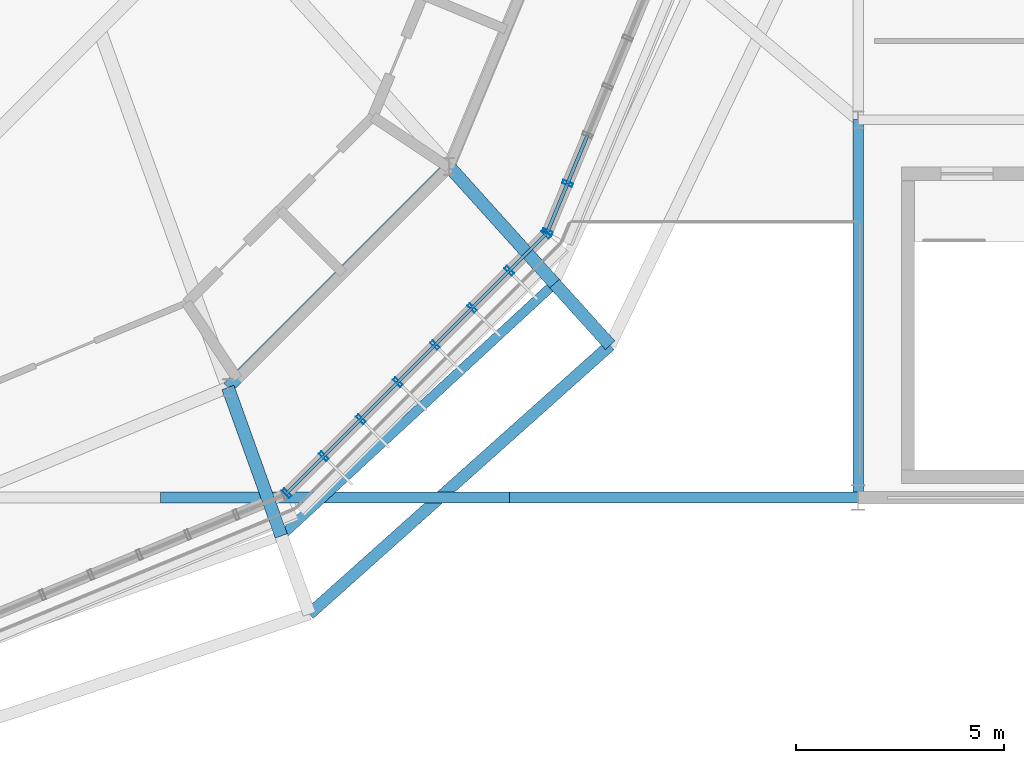
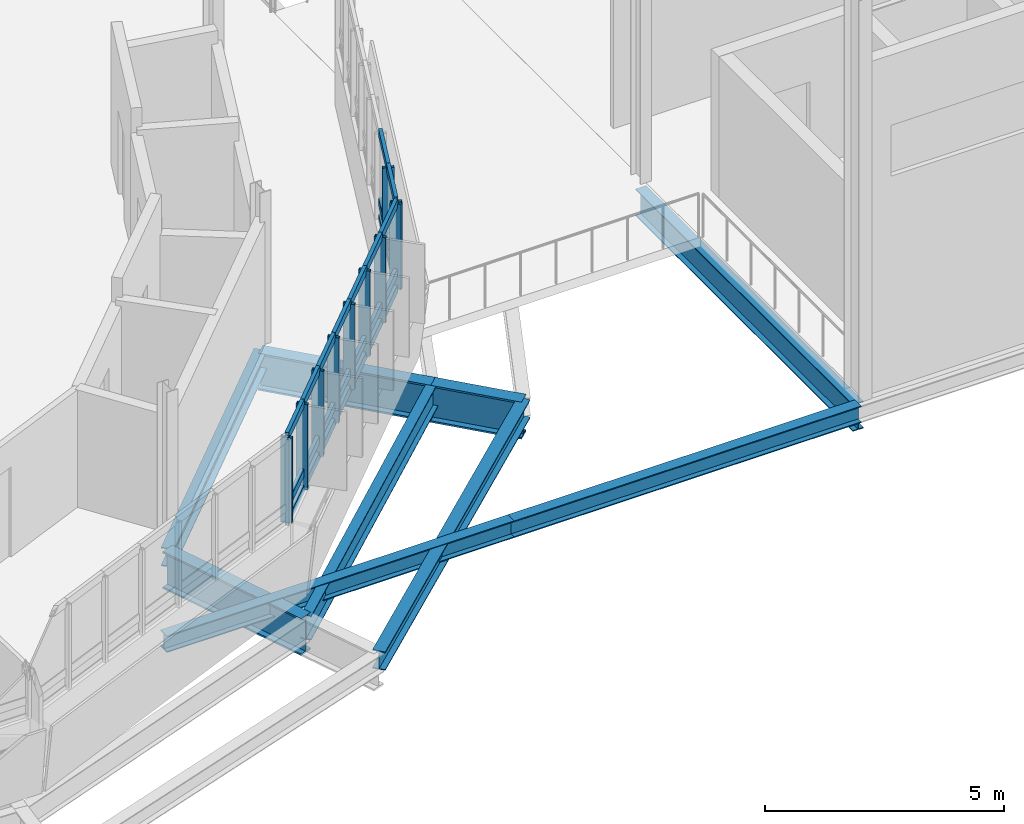
# One storey, part 18 of 61: 37 members, 9 beams, 2 elements without a shape of their own.
"""IFC4 building model written with IfcOpenShell, lengths in metres."""

import ifcopenshell
import ifcopenshell.guid

model = None  # the IFC model being written
_history = None  # IfcOwnerHistory: only IFC2X3 demands one
_inside = {}  # id of a spatial element -> (the spatial element, [elements in it])
_under = {}  # id of a project, library or spatial element -> (it, [spatial elements below it])
_declared = {}  # id of a project -> (the project, [libraries it declares])
_typed = {}  # id of a type object -> (the type object, [elements of that type])
_made_of = {}  # id of a material, layer set ... -> (it, [elements and type objects made of it])


def new_model(schema):
    """Start an empty IFC model of exactly this schema.

    Asked for "IFC4X3", IfcOpenShell would pick the latest addendum, in which some entities
    have other attributes; the version numbers below select the first issue.
    IFC2X3 requires an IfcOwnerHistory on every rooted entity: one is made here for all.
    """
    global model, _history
    if schema == "IFC4X3":
        model = ifcopenshell.file(schema_version=(4, 3, 0, 0))
    else:
        model = ifcopenshell.file(schema=schema)
    _inside.clear()
    _under.clear()
    _declared.clear()
    _typed.clear()
    _made_of.clear()
    _history = None
    if model.schema == "IFC2X3":
        org = make("IfcOrganization", Name="unknown")
        user = make(
            "IfcPersonAndOrganization",
            ThePerson=make("IfcPerson", FamilyName="unknown"),
            TheOrganization=org,
        )
        app = make(
            "IfcApplication",
            ApplicationDeveloper=org,
            Version="unknown",
            ApplicationFullName="unknown",
            ApplicationIdentifier="unknown",
        )
        _history = make(
            "IfcOwnerHistory",
            OwningUser=user,
            OwningApplication=app,
            ChangeAction="ADDED",
            CreationDate=0,
        )
    return model


def make(cls, **values):
    """One entity of the class cls with the attributes given. An attribute that is None is left unset."""
    return model.create_entity(
        cls, **{name: value for name, value in values.items() if value is not None}
    )


def rooted(cls, **values):
    """An entity with a GlobalId (a new one), such as an element, a storey or a relation."""
    return make(cls, GlobalId=ifcopenshell.guid.new(), OwnerHistory=_history, **values)


def si_unit(unit_type, name, prefix=None):
    """IfcSIUnit, for example si_unit("LENGTHUNIT", "METRE", prefix="MILLI")."""
    return make("IfcSIUnit", UnitType=unit_type, Prefix=prefix, Name=name)


def derived_unit(unit_type, elements):
    """IfcDerivedUnit: a product of units, each with its exponent."""
    return make(
        "IfcDerivedUnit",
        Elements=[
            make("IfcDerivedUnitElement", Unit=unit, Exponent=power)
            for unit, power in elements
        ],
        UnitType=unit_type,
    )


def assignment(units):
    """IfcUnitAssignment: the units of a project."""
    return None if units is None else make("IfcUnitAssignment", Units=units)


def point(xyz):
    """IfcCartesianPoint."""
    return None if xyz is None else make("IfcCartesianPoint", Coordinates=xyz)


def direction(xyz):
    """IfcDirection."""
    return None if xyz is None else make("IfcDirection", DirectionRatios=xyz)


def frame(location, z_axis=None, x_axis=None):
    """IfcAxis2Placement3D, a coordinate frame: its origin and axes. An axis left out is left unset."""
    return make(
        "IfcAxis2Placement3D",
        Location=point(location),
        Axis=direction(z_axis),
        RefDirection=direction(x_axis),
    )


def frame_2d(location, x_axis=None):
    """IfcAxis2Placement2D, a coordinate frame in the plane: its origin and x axis."""
    return make(
        "IfcAxis2Placement2D", Location=point(location), RefDirection=direction(x_axis)
    )


def origin():
    """The frame at (0, 0, 0) with its axes left unset."""
    return frame((0.0, 0.0, 0.0))


def origin_2d():
    """The frame at (0, 0) in the plane with its x axis left unset."""
    return frame_2d((0.0, 0.0))


def place(relative_to, where):
    """IfcLocalPlacement: puts the frame where relative to a parent placement (None: the world)."""
    return make(
        "IfcLocalPlacement", PlacementRelTo=relative_to, RelativePlacement=where
    )


def context(
    kind, dimensions, precision=None, world=None, true_north=None, identifier=None
):
    """IfcGeometricRepresentationContext, for example the 3D "Model" context."""
    return make(
        "IfcGeometricRepresentationContext",
        ContextIdentifier=identifier,
        ContextType=kind,
        CoordinateSpaceDimension=dimensions,
        Precision=precision,
        WorldCoordinateSystem=world,
        TrueNorth=true_north,
    )


def subcontext(parent, identifier, kind, view, scale=None):
    """IfcGeometricRepresentationSubContext, for example "Body" below "Model"."""
    return make(
        "IfcGeometricRepresentationSubContext",
        ContextIdentifier=identifier,
        ContextType=kind,
        ParentContext=parent,
        TargetScale=scale,
        TargetView=view,
    )


def project(units=None, contexts=None):
    """IfcProject with its units and contexts."""
    return rooted(
        "IfcProject",
        Name="project",
        RepresentationContexts=contexts,
        UnitsInContext=assignment(units),
    )


def spatial(cls, under=None, at=None, **own):
    """A site, building, storey or space (cls), placed at a placement, below another one or the project."""
    s = rooted(cls, ObjectPlacement=at, **own)
    if under is not None:
        _under.setdefault(under.id(), (under, []))[1].append(s)
    return s


def profile(cls, at=None, kind="AREA", **sizes):
    """A parametric profile (cls). Its sizes go by their IFC names, for example OverallWidth=200.0."""
    return make(cls, ProfileType=kind, Position=at, **sizes)


def hollow_rectangle(**sizes):
    """IfcRectangleHollowProfileDef."""
    return profile("IfcRectangleHollowProfileDef", **sizes)


def i_section(**sizes):
    """IfcIShapeProfileDef."""
    return profile("IfcIShapeProfileDef", **sizes)


def extrude(swept, where, along, depth):
    """IfcExtrudedAreaSolid: the profile swept, set in the frame where, extruded along a direction by depth."""
    return make(
        "IfcExtrudedAreaSolid",
        SweptArea=swept,
        Position=where,
        ExtrudedDirection=direction(along),
        Depth=depth,
    )


def shape(context_of_items, identifier, shape_type, items):
    """IfcShapeRepresentation: the items that make up one representation, for example the "Body"."""
    return make(
        "IfcShapeRepresentation",
        ContextOfItems=context_of_items,
        RepresentationIdentifier=identifier,
        RepresentationType=shape_type,
        Items=items,
    )


def material(Name=None, Category=None):
    """IfcMaterial."""
    return make("IfcMaterial", Name=Name, Category=Category)


def layer(
    of_material, thickness, ventilated=None, Name=None, Category=None, Priority=None
):
    """IfcMaterialLayer: one layer of a wall or slab, of a material (None: an air gap)."""
    return make(
        "IfcMaterialLayer",
        Material=of_material,
        LayerThickness=thickness,
        IsVentilated=ventilated,
        Name=Name,
        Category=Category,
        Priority=Priority,
    )


def layer_set(layers, Name=None):
    """IfcMaterialLayerSet."""
    return make("IfcMaterialLayerSet", MaterialLayers=layers, LayerSetName=Name)


def material_profile(
    of_material, cross_section, Name=None, Category=None, Priority=None
):
    """IfcMaterialProfile: a cross section and its material."""
    return make(
        "IfcMaterialProfile",
        Name=Name,
        Material=of_material,
        Profile=cross_section,
        Priority=Priority,
        Category=Category,
    )


def profile_set(profiles, Name=None, composite=None):
    """IfcMaterialProfileSet."""
    return make(
        "IfcMaterialProfileSet",
        Name=Name,
        MaterialProfiles=profiles,
        CompositeProfile=composite,
    )


def made_of(thing, what):
    """Note that an element or type object is made of a material, layer set ...; save() writes the relation."""
    if what is not None:
        _made_of.setdefault(what.id(), (what, []))[1].append(thing)
    return thing


def type_object(cls, material=None, **own):
    """A type object (cls), such as IfcWallType, which elements share."""
    return made_of(rooted(cls, **own), material)


def element(
    cls,
    number,
    at=None,
    inside=None,
    cuts=None,
    type_object=None,
    material=None,
    context=None,
    identifier="Body",
    shape_type=None,
    held_by="IfcProductDefinitionShape",
    body=None,
    shapes=None,
    **own,
):
    """One element of the class cls, such as IfcWall. Its Tag is "e" and its number.

    at: its placement. inside: the storey or other place that contains it. cuts: it is an
    opening in that element (IfcRelVoidsElement). A single representation is given by context,
    identifier, shape_type and body (its items); several are given by shapes. held_by: the class
    of the entity that holds the representations. save() writes the other relations.
    """
    e = rooted(cls, Tag="e%d" % number, ObjectPlacement=at, **own)
    if body is not None:
        shapes = [shape(context, identifier, shape_type, body)]
    if shapes is not None:
        e.Representation = make(held_by, Representations=shapes)
    if inside is not None:
        _inside.setdefault(inside.id(), (inside, []))[1].append(e)
    if cuts is not None:
        rooted(
            "IfcRelVoidsElement", RelatingBuildingElement=cuts, RelatedOpeningElement=e
        )
    if type_object is not None:
        _typed.setdefault(type_object.id(), (type_object, []))[1].append(e)
    return made_of(e, material)


def aggregate(whole, parts):
    """IfcRelAggregates: a whole, such as a stair, and the parts it consists of."""
    return rooted("IfcRelAggregates", RelatingObject=whole, RelatedObjects=parts)


def save(model, path):
    """Write the relations noted so far, then the file.

    IfcRelAggregates (storeys below a building ...), IfcRelContainedInSpatialStructure (elements
    in a storey), IfcRelDefinesByType, IfcRelAssociatesMaterial and IfcRelDeclares: one each for
    every whole, place, type object, material and project.
    """
    for whole, parts in _under.values():
        aggregate(whole, parts)
    for where, things in _inside.values():
        rooted(
            "IfcRelContainedInSpatialStructure",
            RelatedElements=things,
            RelatingStructure=where,
        )
    for kind, things in _typed.values():
        rooted("IfcRelDefinesByType", RelatedObjects=things, RelatingType=kind)
    for what, things in _made_of.values():
        rooted("IfcRelAssociatesMaterial", RelatedObjects=things, RelatingMaterial=what)
    for by, libraries in _declared.values():
        rooted("IfcRelDeclares", RelatingContext=by, RelatedDefinitions=libraries)
    model.write(path)


model = new_model("IFC4")

# Units and contexts
model_context = context("Model", 3, precision=1e-05, world=origin(), true_north=direction((0.0, 1.0)))
body_context = subcontext(model_context, "Body", "Model", "MODEL_VIEW")
ifc_project = project(units=[si_unit("LENGTHUNIT", "METRE"), si_unit("AREAUNIT", "SQUARE_METRE"), si_unit("VOLUMEUNIT", "CUBIC_METRE"), si_unit("PLANEANGLEUNIT", "RADIAN"), si_unit("MASSUNIT", "GRAM", prefix="KILO"), derived_unit("THERMALTRANSMITTANCEUNIT", [(si_unit("MASSUNIT", "GRAM", prefix="KILO"), 1), (si_unit("TIMEUNIT", "SECOND"), -3), (si_unit("THERMODYNAMICTEMPERATUREUNIT", "KELVIN"), -1)])], contexts=[model_context])

# Site, building, storey
site_placement = place(None, origin())
site = spatial("IfcSite", under=ifc_project, at=site_placement, CompositionType="ELEMENT")
building_placement = place(site_placement, origin())
building = spatial("IfcBuilding", under=site, at=building_placement, Name="Makaiwela Harbour Ferry Terminal", CompositionType="ELEMENT")
storey_placement = place(building_placement, frame((0.0, 0.0, 13.800048828125)))
storey = spatial("IfcBuildingStorey", under=building, at=storey_placement, Name="L03", CompositionType="ELEMENT", Elevation=13.800048828125)

# Curtain wall, members
ifc_material_1 = material(Name="Marine anodised aluminium 6063-T6", Category="aluminium")
ifc_layer = layer(ifc_material_1, 0.199951171875)
ifc_layer_set = layer_set([ifc_layer], Name="Marine anodised aluminium 6063-T6")
curtain_wall_type = type_object("IfcCurtainWallType", Name="ENV-CW-05", PredefinedType="USERDEFINED", material=ifc_layer_set)
curtain_wall_1_placement = place(storey_placement, origin())
curtain_wall_1 = element("IfcCurtainWall", 1, at=curtain_wall_1_placement, inside=storey, type_object=curtain_wall_type, Name="Unitised Curtain Wall CWA-041", ObjectType="UNITIZED CURTAIN WALL", PredefinedType="USERDEFINED")
ifc_material_profile_1 = material_profile(ifc_material_1, hollow_rectangle(XDim=0.0849609375, YDim=0.25, WallThickness=0.0048828125, at=origin_2d()), Name="CWM-250X85")
ifc_profile_set_1 = profile_set([ifc_material_profile_1], Name="Marine anodised aluminium 6063-T6")
member_type_1 = type_object("IfcMemberType", Name="CW-MUL-250", PredefinedType="MULLION", material=ifc_profile_set_1)
member_1_placement = place(storey_placement, frame((49.23828125, 49.503662109375, 1.47998046875), z_axis=(0.0, 0.0, 1.0), x_axis=(0.707106781187, 0.707106781187, 0.0)))
member_1 = element("IfcMember", 2, at=member_1_placement, type_object=member_type_1, Name="Curtain Wall Mullion CWA-041-1", PredefinedType="MULLION", context=body_context, shape_type="SweptSolid", body=[
    extrude(hollow_rectangle(XDim=0.0849609375, YDim=0.25, WallThickness=0.0048828125, at=origin_2d()), origin(), (0.0, 0.0, 1.0), 2.179931640625),
])
member_2_placement = place(storey_placement, frame((50.130859375, 50.396240234375, 1.47998046875), z_axis=(0.0, 0.0, 1.0), x_axis=(0.707106781187, 0.707106781187, 0.0)))
member_2 = element("IfcMember", 3, at=member_2_placement, type_object=member_type_1, Name="Curtain Wall Mullion CWA-041-2", PredefinedType="MULLION", context=body_context, shape_type="SweptSolid", body=[
    extrude(hollow_rectangle(XDim=0.0849609375, YDim=0.25, WallThickness=0.0048828125, at=origin_2d()), origin(), (0.0, 0.0, 1.0), 2.179931640625),
])
member_3_placement = place(storey_placement, frame((51.0234375, 51.288818359375, 1.47998046875), z_axis=(0.0, 0.0, 1.0), x_axis=(0.707106781187, 0.707106781187, 0.0)))
member_3 = element("IfcMember", 4, at=member_3_placement, type_object=member_type_1, Name="Curtain Wall Mullion CWA-041-3", PredefinedType="MULLION", context=body_context, shape_type="SweptSolid", body=[
    extrude(hollow_rectangle(XDim=0.0849609375, YDim=0.25, WallThickness=0.0048828125, at=origin_2d()), origin(), (0.0, 0.0, 1.0), 2.179931640625),
])
member_4_placement = place(storey_placement, frame((51.916015625, 52.181396484375, 1.47998046875), z_axis=(0.0, 0.0, 1.0), x_axis=(0.707106781187, 0.707106781187, 0.0)))
member_4 = element("IfcMember", 5, at=member_4_placement, type_object=member_type_1, Name="Curtain Wall Mullion CWA-041-4", PredefinedType="MULLION", context=body_context, shape_type="SweptSolid", body=[
    extrude(hollow_rectangle(XDim=0.0849609375, YDim=0.25, WallThickness=0.0048828125, at=origin_2d()), origin(), (0.0, 0.0, 1.0), 2.179931640625),
])
member_5_placement = place(storey_placement, frame((52.80859375, 53.073974609375, 1.47998046875), z_axis=(0.0, 0.0, 1.0), x_axis=(0.707106781187, 0.707106781187, 0.0)))
member_5 = element("IfcMember", 6, at=member_5_placement, type_object=member_type_1, Name="Curtain Wall Mullion CWA-041-5", PredefinedType="MULLION", context=body_context, shape_type="SweptSolid", body=[
    extrude(hollow_rectangle(XDim=0.0849609375, YDim=0.25, WallThickness=0.0048828125, at=origin_2d()), origin(), (0.0, 0.0, 1.0), 2.179931640625),
])
member_6_placement = place(storey_placement, frame((53.701171875, 53.966552734375, 1.47998046875), z_axis=(0.0, 0.0, 1.0), x_axis=(0.707106781187, 0.707106781187, 0.0)))
member_6 = element("IfcMember", 7, at=member_6_placement, type_object=member_type_1, Name="Curtain Wall Mullion CWA-041-6", PredefinedType="MULLION", context=body_context, shape_type="SweptSolid", body=[
    extrude(hollow_rectangle(XDim=0.0849609375, YDim=0.25, WallThickness=0.0048828125, at=origin_2d()), origin(), (0.0, 0.0, 1.0), 2.179931640625),
])
member_7_placement = place(storey_placement, frame((54.59375, 54.859130859375, 1.47998046875), z_axis=(0.0, 0.0, 1.0), x_axis=(0.707106781187, 0.707106781187, 0.0)))
member_7 = element("IfcMember", 8, at=member_7_placement, type_object=member_type_1, Name="Curtain Wall Mullion CWA-041-7", PredefinedType="MULLION", context=body_context, shape_type="SweptSolid", body=[
    extrude(hollow_rectangle(XDim=0.0849609375, YDim=0.25, WallThickness=0.0048828125, at=origin_2d()), origin(), (0.0, 0.0, 1.0), 2.179931640625),
])
member_8_placement = place(storey_placement, frame((55.486328125, 55.751708984375, 1.47998046875), z_axis=(0.0, 0.0, 1.0), x_axis=(0.707106781187, 0.707106781187, 0.0)))
member_8 = element("IfcMember", 9, at=member_8_placement, type_object=member_type_1, Name="Curtain Wall Mullion CWA-041-8", PredefinedType="MULLION", context=body_context, shape_type="SweptSolid", body=[
    extrude(hollow_rectangle(XDim=0.0849609375, YDim=0.25, WallThickness=0.0048828125, at=origin_2d()), origin(), (0.0, 0.0, 1.0), 2.179931640625),
])

curtain_wall_2_placement = place(storey_placement, origin())
curtain_wall_2 = element("IfcCurtainWall", 10, at=curtain_wall_2_placement, inside=storey, type_object=curtain_wall_type, Name="Unitised Curtain Wall CWA-042", ObjectType="UNITIZED CURTAIN WALL", PredefinedType="USERDEFINED")
member_9_placement = place(storey_placement, frame((55.51904296875, 55.80078125, 1.47998046875), z_axis=(0.0, 0.0, 1.0), x_axis=(0.382683432365, 0.923879532511, 0.0)))
member_9 = element("IfcMember", 11, at=member_9_placement, type_object=member_type_1, Name="Curtain Wall Mullion CWA-042-1", PredefinedType="MULLION", context=body_context, shape_type="SweptSolid", body=[
    extrude(hollow_rectangle(XDim=0.0849609375, YDim=0.25, WallThickness=0.0048828125, at=origin_2d()), origin(), (0.0, 0.0, 1.0), 2.179931640625),
])
member_10_placement = place(storey_placement, frame((56.002197265625, 56.966796875, 1.47998046875), z_axis=(0.0, 0.0, 1.0), x_axis=(0.382683432365, 0.923879532511, 0.0)))
member_10 = element("IfcMember", 12, at=member_10_placement, type_object=member_type_1, Name="Curtain Wall Mullion CWA-042-2", PredefinedType="MULLION", context=body_context, shape_type="SweptSolid", body=[
    extrude(hollow_rectangle(XDim=0.0849609375, YDim=0.25, WallThickness=0.0048828125, at=origin_2d()), origin(), (0.0, 0.0, 1.0), 2.179931640625),
])

# Member
ifc_material_profile_2 = material_profile(ifc_material_1, hollow_rectangle(XDim=0.0849609375, YDim=0.199951171875, WallThickness=0.0048828125, at=origin_2d()), Name="CWT-200X85")
ifc_profile_set_2 = profile_set([ifc_material_profile_2], Name="Marine anodised aluminium 6063-T6")
member_type_2 = type_object("IfcMemberType", Name="CW-TRN-200", PredefinedType="USERDEFINED", material=ifc_profile_set_2)
member_11_placement = place(storey_placement, frame((49.23828125, 49.503662109375, 1.47998046875), z_axis=(0.707106781187, 0.707106781187, 0.0), x_axis=(-0.707106781187, 0.707106781187, 0.0)))
member_11 = element("IfcMember", 13, at=member_11_placement, type_object=member_type_2, Name="Curtain Wall Transom CWA-041-1-1", ObjectType="TRANSOM", PredefinedType="USERDEFINED", context=body_context, shape_type="SweptSolid", body=[
    extrude(hollow_rectangle(XDim=0.0849609375, YDim=0.199951171875, WallThickness=0.0048828125, at=origin_2d()), origin(), (0.0, 0.0, 1.0), 1.26220703125),
])

member_12_placement = place(storey_placement, frame((49.23828125, 49.503662109375, 1.89990234375), z_axis=(0.707106781187, 0.707106781187, 0.0), x_axis=(-0.707106781187, 0.707106781187, 0.0)))
member_12 = element("IfcMember", 14, at=member_12_placement, type_object=member_type_2, Name="Curtain Wall Transom CWA-041-1-2", ObjectType="TRANSOM", PredefinedType="USERDEFINED", context=body_context, shape_type="SweptSolid", body=[
    extrude(hollow_rectangle(XDim=0.0849609375, YDim=0.199951171875, WallThickness=0.0048828125, at=origin_2d()), origin(), (0.0, 0.0, 1.0), 1.26220703125),
])

member_13_placement = place(storey_placement, frame((49.23828125, 49.503662109375, 3.659912109375), z_axis=(0.707106781187, 0.707106781187, 0.0), x_axis=(-0.707106781187, 0.707106781187, 0.0)))
member_13 = element("IfcMember", 15, at=member_13_placement, type_object=member_type_2, Name="Curtain Wall Transom CWA-041-1-3", ObjectType="TRANSOM", PredefinedType="USERDEFINED", context=body_context, shape_type="SweptSolid", body=[
    extrude(hollow_rectangle(XDim=0.0849609375, YDim=0.199951171875, WallThickness=0.0048828125, at=origin_2d()), origin(), (0.0, 0.0, 1.0), 1.26220703125),
])

member_14_placement = place(storey_placement, frame((50.130859375, 50.396240234375, 1.47998046875), z_axis=(0.707106781187, 0.707106781187, 0.0), x_axis=(-0.707106781187, 0.707106781187, 0.0)))
member_14 = element("IfcMember", 16, at=member_14_placement, type_object=member_type_2, Name="Curtain Wall Transom CWA-041-2-1", ObjectType="TRANSOM", PredefinedType="USERDEFINED", context=body_context, shape_type="SweptSolid", body=[
    extrude(hollow_rectangle(XDim=0.0849609375, YDim=0.199951171875, WallThickness=0.0048828125, at=origin_2d()), origin(), (0.0, 0.0, 1.0), 1.26220703125),
])

member_15_placement = place(storey_placement, frame((50.130859375, 50.396240234375, 1.89990234375), z_axis=(0.707106781187, 0.707106781187, 0.0), x_axis=(-0.707106781187, 0.707106781187, 0.0)))
member_15 = element("IfcMember", 17, at=member_15_placement, type_object=member_type_2, Name="Curtain Wall Transom CWA-041-2-2", ObjectType="TRANSOM", PredefinedType="USERDEFINED", context=body_context, shape_type="SweptSolid", body=[
    extrude(hollow_rectangle(XDim=0.0849609375, YDim=0.199951171875, WallThickness=0.0048828125, at=origin_2d()), origin(), (0.0, 0.0, 1.0), 1.26220703125),
])

member_16_placement = place(storey_placement, frame((50.130859375, 50.396240234375, 3.659912109375), z_axis=(0.707106781187, 0.707106781187, 0.0), x_axis=(-0.707106781187, 0.707106781187, 0.0)))
member_16 = element("IfcMember", 18, at=member_16_placement, type_object=member_type_2, Name="Curtain Wall Transom CWA-041-2-3", ObjectType="TRANSOM", PredefinedType="USERDEFINED", context=body_context, shape_type="SweptSolid", body=[
    extrude(hollow_rectangle(XDim=0.0849609375, YDim=0.199951171875, WallThickness=0.0048828125, at=origin_2d()), origin(), (0.0, 0.0, 1.0), 1.26220703125),
])

member_17_placement = place(storey_placement, frame((51.0234375, 51.288818359375, 1.47998046875), z_axis=(0.707106781187, 0.707106781187, 0.0), x_axis=(-0.707106781187, 0.707106781187, 0.0)))
member_17 = element("IfcMember", 19, at=member_17_placement, type_object=member_type_2, Name="Curtain Wall Transom CWA-041-3-1", ObjectType="TRANSOM", PredefinedType="USERDEFINED", context=body_context, shape_type="SweptSolid", body=[
    extrude(hollow_rectangle(XDim=0.0849609375, YDim=0.199951171875, WallThickness=0.0048828125, at=origin_2d()), origin(), (0.0, 0.0, 1.0), 1.26220703125),
])

member_18_placement = place(storey_placement, frame((51.0234375, 51.288818359375, 1.89990234375), z_axis=(0.707106781187, 0.707106781187, 0.0), x_axis=(-0.707106781187, 0.707106781187, 0.0)))
member_18 = element("IfcMember", 20, at=member_18_placement, type_object=member_type_2, Name="Curtain Wall Transom CWA-041-3-2", ObjectType="TRANSOM", PredefinedType="USERDEFINED", context=body_context, shape_type="SweptSolid", body=[
    extrude(hollow_rectangle(XDim=0.0849609375, YDim=0.199951171875, WallThickness=0.0048828125, at=origin_2d()), origin(), (0.0, 0.0, 1.0), 1.26220703125),
])

member_19_placement = place(storey_placement, frame((51.0234375, 51.288818359375, 3.659912109375), z_axis=(0.707106781187, 0.707106781187, 0.0), x_axis=(-0.707106781187, 0.707106781187, 0.0)))
member_19 = element("IfcMember", 21, at=member_19_placement, type_object=member_type_2, Name="Curtain Wall Transom CWA-041-3-3", ObjectType="TRANSOM", PredefinedType="USERDEFINED", context=body_context, shape_type="SweptSolid", body=[
    extrude(hollow_rectangle(XDim=0.0849609375, YDim=0.199951171875, WallThickness=0.0048828125, at=origin_2d()), origin(), (0.0, 0.0, 1.0), 1.26220703125),
])

member_20_placement = place(storey_placement, frame((51.916015625, 52.181396484375, 1.47998046875), z_axis=(0.707106781187, 0.707106781187, 0.0), x_axis=(-0.707106781187, 0.707106781187, 0.0)))
member_20 = element("IfcMember", 22, at=member_20_placement, type_object=member_type_2, Name="Curtain Wall Transom CWA-041-4-1", ObjectType="TRANSOM", PredefinedType="USERDEFINED", context=body_context, shape_type="SweptSolid", body=[
    extrude(hollow_rectangle(XDim=0.0849609375, YDim=0.199951171875, WallThickness=0.0048828125, at=origin_2d()), origin(), (0.0, 0.0, 1.0), 1.26220703125),
])

member_21_placement = place(storey_placement, frame((51.916015625, 52.181396484375, 1.89990234375), z_axis=(0.707106781187, 0.707106781187, 0.0), x_axis=(-0.707106781187, 0.707106781187, 0.0)))
member_21 = element("IfcMember", 23, at=member_21_placement, type_object=member_type_2, Name="Curtain Wall Transom CWA-041-4-2", ObjectType="TRANSOM", PredefinedType="USERDEFINED", context=body_context, shape_type="SweptSolid", body=[
    extrude(hollow_rectangle(XDim=0.0849609375, YDim=0.199951171875, WallThickness=0.0048828125, at=origin_2d()), origin(), (0.0, 0.0, 1.0), 1.26220703125),
])

member_22_placement = place(storey_placement, frame((51.916015625, 52.181396484375, 3.659912109375), z_axis=(0.707106781187, 0.707106781187, 0.0), x_axis=(-0.707106781187, 0.707106781187, 0.0)))
member_22 = element("IfcMember", 24, at=member_22_placement, type_object=member_type_2, Name="Curtain Wall Transom CWA-041-4-3", ObjectType="TRANSOM", PredefinedType="USERDEFINED", context=body_context, shape_type="SweptSolid", body=[
    extrude(hollow_rectangle(XDim=0.0849609375, YDim=0.199951171875, WallThickness=0.0048828125, at=origin_2d()), origin(), (0.0, 0.0, 1.0), 1.26220703125),
])

member_23_placement = place(storey_placement, frame((52.80859375, 53.073974609375, 1.47998046875), z_axis=(0.707106781187, 0.707106781187, 0.0), x_axis=(-0.707106781187, 0.707106781187, 0.0)))
member_23 = element("IfcMember", 25, at=member_23_placement, type_object=member_type_2, Name="Curtain Wall Transom CWA-041-5-1", ObjectType="TRANSOM", PredefinedType="USERDEFINED", context=body_context, shape_type="SweptSolid", body=[
    extrude(hollow_rectangle(XDim=0.0849609375, YDim=0.199951171875, WallThickness=0.0048828125, at=origin_2d()), origin(), (0.0, 0.0, 1.0), 1.26220703125),
])

member_24_placement = place(storey_placement, frame((52.80859375, 53.073974609375, 1.89990234375), z_axis=(0.707106781187, 0.707106781187, 0.0), x_axis=(-0.707106781187, 0.707106781187, 0.0)))
member_24 = element("IfcMember", 26, at=member_24_placement, type_object=member_type_2, Name="Curtain Wall Transom CWA-041-5-2", ObjectType="TRANSOM", PredefinedType="USERDEFINED", context=body_context, shape_type="SweptSolid", body=[
    extrude(hollow_rectangle(XDim=0.0849609375, YDim=0.199951171875, WallThickness=0.0048828125, at=origin_2d()), origin(), (0.0, 0.0, 1.0), 1.26220703125),
])

member_25_placement = place(storey_placement, frame((52.80859375, 53.073974609375, 3.659912109375), z_axis=(0.707106781187, 0.707106781187, 0.0), x_axis=(-0.707106781187, 0.707106781187, 0.0)))
member_25 = element("IfcMember", 27, at=member_25_placement, type_object=member_type_2, Name="Curtain Wall Transom CWA-041-5-3", ObjectType="TRANSOM", PredefinedType="USERDEFINED", context=body_context, shape_type="SweptSolid", body=[
    extrude(hollow_rectangle(XDim=0.0849609375, YDim=0.199951171875, WallThickness=0.0048828125, at=origin_2d()), origin(), (0.0, 0.0, 1.0), 1.26220703125),
])

member_26_placement = place(storey_placement, frame((53.701171875, 53.966552734375, 1.47998046875), z_axis=(0.707106781187, 0.707106781187, 0.0), x_axis=(-0.707106781187, 0.707106781187, 0.0)))
member_26 = element("IfcMember", 28, at=member_26_placement, type_object=member_type_2, Name="Curtain Wall Transom CWA-041-6-1", ObjectType="TRANSOM", PredefinedType="USERDEFINED", context=body_context, shape_type="SweptSolid", body=[
    extrude(hollow_rectangle(XDim=0.0849609375, YDim=0.199951171875, WallThickness=0.0048828125, at=origin_2d()), origin(), (0.0, 0.0, 1.0), 1.26220703125),
])

member_27_placement = place(storey_placement, frame((53.701171875, 53.966552734375, 1.89990234375), z_axis=(0.707106781187, 0.707106781187, 0.0), x_axis=(-0.707106781187, 0.707106781187, 0.0)))
member_27 = element("IfcMember", 29, at=member_27_placement, type_object=member_type_2, Name="Curtain Wall Transom CWA-041-6-2", ObjectType="TRANSOM", PredefinedType="USERDEFINED", context=body_context, shape_type="SweptSolid", body=[
    extrude(hollow_rectangle(XDim=0.0849609375, YDim=0.199951171875, WallThickness=0.0048828125, at=origin_2d()), origin(), (0.0, 0.0, 1.0), 1.26220703125),
])

member_28_placement = place(storey_placement, frame((53.701171875, 53.966552734375, 3.659912109375), z_axis=(0.707106781187, 0.707106781187, 0.0), x_axis=(-0.707106781187, 0.707106781187, 0.0)))
member_28 = element("IfcMember", 30, at=member_28_placement, type_object=member_type_2, Name="Curtain Wall Transom CWA-041-6-3", ObjectType="TRANSOM", PredefinedType="USERDEFINED", context=body_context, shape_type="SweptSolid", body=[
    extrude(hollow_rectangle(XDim=0.0849609375, YDim=0.199951171875, WallThickness=0.0048828125, at=origin_2d()), origin(), (0.0, 0.0, 1.0), 1.26220703125),
])

member_29_placement = place(storey_placement, frame((54.59375, 54.859130859375, 1.47998046875), z_axis=(0.707106781187, 0.707106781187, 0.0), x_axis=(-0.707106781187, 0.707106781187, 0.0)))
member_29 = element("IfcMember", 31, at=member_29_placement, type_object=member_type_2, Name="Curtain Wall Transom CWA-041-7-1", ObjectType="TRANSOM", PredefinedType="USERDEFINED", context=body_context, shape_type="SweptSolid", body=[
    extrude(hollow_rectangle(XDim=0.0849609375, YDim=0.199951171875, WallThickness=0.0048828125, at=origin_2d()), origin(), (0.0, 0.0, 1.0), 1.26220703125),
])

member_30_placement = place(storey_placement, frame((54.59375, 54.859130859375, 1.89990234375), z_axis=(0.707106781187, 0.707106781187, 0.0), x_axis=(-0.707106781187, 0.707106781187, 0.0)))
member_30 = element("IfcMember", 32, at=member_30_placement, type_object=member_type_2, Name="Curtain Wall Transom CWA-041-7-2", ObjectType="TRANSOM", PredefinedType="USERDEFINED", context=body_context, shape_type="SweptSolid", body=[
    extrude(hollow_rectangle(XDim=0.0849609375, YDim=0.199951171875, WallThickness=0.0048828125, at=origin_2d()), origin(), (0.0, 0.0, 1.0), 1.26220703125),
])

member_31_placement = place(storey_placement, frame((54.59375, 54.859130859375, 3.659912109375), z_axis=(0.707106781187, 0.707106781187, 0.0), x_axis=(-0.707106781187, 0.707106781187, 0.0)))
member_31 = element("IfcMember", 33, at=member_31_placement, type_object=member_type_2, Name="Curtain Wall Transom CWA-041-7-3", ObjectType="TRANSOM", PredefinedType="USERDEFINED", context=body_context, shape_type="SweptSolid", body=[
    extrude(hollow_rectangle(XDim=0.0849609375, YDim=0.199951171875, WallThickness=0.0048828125, at=origin_2d()), origin(), (0.0, 0.0, 1.0), 1.26220703125),
])

aggregate(curtain_wall_1, [member_1, member_2, member_3, member_4, member_5, member_6, member_7, member_8, member_11, member_12, member_13, member_14, member_15, member_16, member_17, member_18, member_19, member_20, member_21, member_22, member_23, member_24, member_25, member_26, member_27, member_28, member_29, member_30, member_31])

member_32_placement = place(storey_placement, frame((55.51904296875, 55.80078125, 1.47998046875), z_axis=(0.382801648306, 0.923830557004, 0.0), x_axis=(-0.923830557004, 0.382801648306, 0.0)))
member_32 = element("IfcMember", 34, at=member_32_placement, type_object=member_type_2, Name="Curtain Wall Transom CWA-042-1-1", ObjectType="TRANSOM", PredefinedType="USERDEFINED", context=body_context, shape_type="SweptSolid", body=[
    extrude(hollow_rectangle(XDim=0.0849609375, YDim=0.199951171875, WallThickness=0.0048828125, at=origin_2d()), origin(), (0.0, 0.0, 1.0), 1.26220703125),
])

member_33_placement = place(storey_placement, frame((55.51904296875, 55.80078125, 1.89990234375), z_axis=(0.382801648306, 0.923830557004, 0.0), x_axis=(-0.923830557004, 0.382801648306, 0.0)))
member_33 = element("IfcMember", 35, at=member_33_placement, type_object=member_type_2, Name="Curtain Wall Transom CWA-042-1-2", ObjectType="TRANSOM", PredefinedType="USERDEFINED", context=body_context, shape_type="SweptSolid", body=[
    extrude(hollow_rectangle(XDim=0.0849609375, YDim=0.199951171875, WallThickness=0.0048828125, at=origin_2d()), origin(), (0.0, 0.0, 1.0), 1.26220703125),
])

member_34_placement = place(storey_placement, frame((55.51904296875, 55.80078125, 3.659912109375), z_axis=(0.382801648306, 0.923830557004, 0.0), x_axis=(-0.923830557004, 0.382801648306, 0.0)))
member_34 = element("IfcMember", 36, at=member_34_placement, type_object=member_type_2, Name="Curtain Wall Transom CWA-042-1-3", ObjectType="TRANSOM", PredefinedType="USERDEFINED", context=body_context, shape_type="SweptSolid", body=[
    extrude(hollow_rectangle(XDim=0.0849609375, YDim=0.199951171875, WallThickness=0.0048828125, at=origin_2d()), origin(), (0.0, 0.0, 1.0), 1.26220703125),
])

member_35_placement = place(storey_placement, frame((56.002197265625, 56.966796875, 1.47998046875), z_axis=(0.382568167619, 0.923927268309, 0.0), x_axis=(-0.923927268309, 0.382568167619, 0.0)))
member_35 = element("IfcMember", 37, at=member_35_placement, type_object=member_type_2, Name="Curtain Wall Transom CWA-042-2-1", ObjectType="TRANSOM", PredefinedType="USERDEFINED", context=body_context, shape_type="SweptSolid", body=[
    extrude(hollow_rectangle(XDim=0.0849609375, YDim=0.199951171875, WallThickness=0.0048828125, at=origin_2d()), origin(), (0.0, 0.0, 1.0), 1.26220703125),
])

member_36_placement = place(storey_placement, frame((56.002197265625, 56.966796875, 1.89990234375), z_axis=(0.382568167619, 0.923927268309, 0.0), x_axis=(-0.923927268309, 0.382568167619, 0.0)))
member_36 = element("IfcMember", 38, at=member_36_placement, type_object=member_type_2, Name="Curtain Wall Transom CWA-042-2-2", ObjectType="TRANSOM", PredefinedType="USERDEFINED", context=body_context, shape_type="SweptSolid", body=[
    extrude(hollow_rectangle(XDim=0.0849609375, YDim=0.199951171875, WallThickness=0.0048828125, at=origin_2d()), origin(), (0.0, 0.0, 1.0), 1.26220703125),
])

member_37_placement = place(storey_placement, frame((56.002197265625, 56.966796875, 3.659912109375), z_axis=(0.382568167619, 0.923927268309, 0.0), x_axis=(-0.923927268309, 0.382568167619, 0.0)))
member_37 = element("IfcMember", 39, at=member_37_placement, type_object=member_type_2, Name="Curtain Wall Transom CWA-042-2-3", ObjectType="TRANSOM", PredefinedType="USERDEFINED", context=body_context, shape_type="SweptSolid", body=[
    extrude(hollow_rectangle(XDim=0.0849609375, YDim=0.199951171875, WallThickness=0.0048828125, at=origin_2d()), origin(), (0.0, 0.0, 1.0), 1.26220703125),
])

aggregate(curtain_wall_2, [member_9, member_10, member_32, member_33, member_34, member_35, member_36, member_37])

# Beams
ifc_material_2 = material(Name="Steel ASTM A992 Grade 50", Category="steel")
ifc_material_profile_3 = material_profile(ifc_material_2, i_section(OverallWidth=0.22900390625, OverallDepth=0.612060546875, WebThickness=0.011962890625, FlangeThickness=0.01953125, at=origin_2d()), Name="W24X84")
ifc_profile_set_3 = profile_set([ifc_material_profile_3], Name="Steel ASTM A992 Grade 50")
beam_type_1 = type_object("IfcBeamType", Name="STR-GRD-W24X84", PredefinedType="USERDEFINED", material=ifc_profile_set_3)
beam_1_placement = place(storey_placement, frame((49.107421875, 48.476318359375, -0.56103515625), z_axis=(0.734745985858, 0.678342344444, 0.0), x_axis=(-0.678342344444, 0.734745985858, 0.0)))
element("IfcBeam", 40, at=beam_1_placement, inside=storey, type_object=beam_type_1, Name="Drum overhang tie girder 352", ObjectType="GIRDER", PredefinedType="USERDEFINED", context=body_context, shape_type="SweptSolid", body=[
    extrude(i_section(OverallWidth=0.22900390625, OverallDepth=0.612060546875, WebThickness=0.011962890625, FlangeThickness=0.01953125, at=origin_2d()), origin(), (0.0, 0.0, 1.0), 8.9599609375),
])
ifc_material_profile_4 = material_profile(ifc_material_2, i_section(OverallWidth=0.256103515625, OverallDepth=0.693115234375, WebThickness=0.014404296875, FlangeThickness=0.023681640625, at=origin_2d()), Name="W27X114")
ifc_profile_set_4 = profile_set([ifc_material_profile_4], Name="Steel ASTM A992 Grade 50")
beam_type_2 = type_object("IfcBeamType", Name="STR-GRD-W27X114", PredefinedType="USERDEFINED", material=ifc_profile_set_4)
beam_2_placement = place(storey_placement, frame((63.0, 49.39990234375, -0.586669921875), z_axis=(0.0, 1.0, 0.0), x_axis=(-1.0, 0.0, 0.0)))
element("IfcBeam", 41, at=beam_2_placement, inside=storey, type_object=beam_type_2, Name="Primary Y girder 1598", ObjectType="GIRDER", PredefinedType="USERDEFINED", context=body_context, shape_type="SweptSolid", body=[
    extrude(i_section(OverallWidth=0.256103515625, OverallDepth=0.693115234375, WebThickness=0.014404296875, FlangeThickness=0.023681640625, at=origin_2d()), origin(), (0.0, 0.0, 1.0), 9.10009765625),
])
ifc_material_profile_5 = material_profile(ifc_material_2, i_section(OverallWidth=0.31005859375, OverallDepth=0.949951171875, WebThickness=0.0244140625, FlangeThickness=0.0439453125, at=origin_2d()), Name="W36X256")
ifc_profile_set_5 = profile_set([ifc_material_profile_5], Name="Steel ASTM A992 Grade 50")
beam_type_3 = type_object("IfcBeamType", Name="STR-GRD-W36X256", PredefinedType="USERDEFINED", material=ifc_profile_set_5)
beam_3_placement = place(storey_placement, frame((47.822509765625, 52.052490234375, -0.72998046875), z_axis=(0.338134714011, -0.941097718189, 0.0), x_axis=(0.941097718189, 0.338134714011, 0.0)))
element("IfcBeam", 42, at=beam_3_placement, inside=storey, type_object=beam_type_3, Name="Drum radial overhang 320", ObjectType="GIRDER", PredefinedType="USERDEFINED", context=body_context, shape_type="SweptSolid", body=[
    extrude(i_section(OverallWidth=0.31005859375, OverallDepth=0.949951171875, WebThickness=0.0244140625, FlangeThickness=0.0439453125, at=origin_2d()), origin(), (0.0, 0.0, 1.0), 3.800048828125),
])
beam_4_placement = place(storey_placement, frame((53.1474609375, 57.37744140625, -0.72998046875), z_axis=(0.669298341285, -0.742993761988, 0.0), x_axis=(0.742993761988, 0.669298341285, 0.0)))
element("IfcBeam", 43, at=beam_4_placement, inside=storey, type_object=beam_type_3, Name="Drum radial overhang 323", ObjectType="GIRDER", PredefinedType="USERDEFINED", context=body_context, shape_type="SweptSolid", body=[
    extrude(i_section(OverallWidth=0.31005859375, OverallDepth=0.949951171875, WebThickness=0.0244140625, FlangeThickness=0.0439453125, at=origin_2d()), origin(), (0.0, 0.0, 1.0), 3.7998046875),
])
beam_5_placement = place(storey_placement, frame((55.690673828125, 54.55419921875, -0.72998046875), z_axis=(0.669281634804, -0.743008811061, 0.0), x_axis=(0.743008811061, 0.669281634804, 0.0)))
element("IfcBeam", 44, at=beam_5_placement, inside=storey, type_object=beam_type_3, Name="Drum overhang radial girder 324", ObjectType="GIRDER", PredefinedType="USERDEFINED", context=body_context, shape_type="SweptSolid", body=[
    extrude(i_section(OverallWidth=0.31005859375, OverallDepth=0.949951171875, WebThickness=0.0244140625, FlangeThickness=0.0439453125, at=origin_2d()), origin(), (0.0, 0.0, 1.0), 2.0),
])
ifc_material_profile_6 = material_profile(ifc_material_2, i_section(OverallWidth=0.264892578125, OverallDepth=0.430908203125, WebThickness=0.014892578125, FlangeThickness=0.02490234375, at=origin_2d()), Name="W16X100")
ifc_profile_set_6 = profile_set([ifc_material_profile_6], Name="Steel ASTM A992 Grade 50")
beam_type_4 = type_object("IfcBeamType", Name="STR-SPN-W16X100", PredefinedType="SPANDREL", material=ifc_profile_set_6)
beam_6_placement = place(storey_placement, frame((46.199951171875, 49.39990234375, -0.45556640625), z_axis=(1.0, 0.0, 0.0), x_axis=(0.0, 1.0, 0.0)))
element("IfcBeam", 45, at=beam_6_placement, inside=storey, type_object=beam_type_4, Name="Primary X girder 1551", PredefinedType="SPANDREL", context=body_context, shape_type="SweptSolid", body=[
    extrude(i_section(OverallWidth=0.264892578125, OverallDepth=0.430908203125, WebThickness=0.014892578125, FlangeThickness=0.02490234375, at=origin_2d()), origin(), (0.0, 0.0, 1.0), 8.400146484375),
])
beam_7_placement = place(storey_placement, frame((54.60009765625, 49.39990234375, -0.45556640625), z_axis=(1.0, 0.0, 0.0), x_axis=(0.0, 1.0, 0.0)))
element("IfcBeam", 46, at=beam_7_placement, inside=storey, type_object=beam_type_4, Name="Primary X girder 1552", PredefinedType="SPANDREL", context=body_context, shape_type="SweptSolid", body=[
    extrude(i_section(OverallWidth=0.264892578125, OverallDepth=0.430908203125, WebThickness=0.014892578125, FlangeThickness=0.02490234375, at=origin_2d()), origin(), (0.0, 0.0, 1.0), 8.39990234375),
])
ifc_material_profile_7 = material_profile(ifc_material_2, i_section(OverallWidth=0.283935546875, OverallDepth=0.47607421875, WebThickness=0.014892578125, FlangeThickness=0.02392578125, at=origin_2d()), Name="W18X106")
ifc_profile_set_7 = profile_set([ifc_material_profile_7], Name="Steel ASTM A992 Grade 50")
beam_type_5 = type_object("IfcBeamType", Name="STR-SPN-W18X106", PredefinedType="SPANDREL", material=ifc_profile_set_7)
beam_8_placement = place(storey_placement, frame((47.822509765625, 52.052490234375, -0.4931640625), z_axis=(0.707106781187, 0.707106781187, 0.0), x_axis=(-0.707106781187, 0.707106781187, 0.0)))
element("IfcBeam", 47, at=beam_8_placement, inside=storey, type_object=beam_type_5, Name="Drum column ring girder 268", PredefinedType="SPANDREL", context=body_context, shape_type="SweptSolid", body=[
    extrude(i_section(OverallWidth=0.283935546875, OverallDepth=0.47607421875, WebThickness=0.014892578125, FlangeThickness=0.02392578125, at=origin_2d()), origin(), (0.0, 0.0, 1.0), 7.530517578125),
])
beam_9_placement = place(storey_placement, frame((49.783447265625, 46.59423828125, -0.4931640625), z_axis=(0.745714267637, 0.666265886146, 0.0), x_axis=(-0.666265886146, 0.745714267637, 0.0)))
element("IfcBeam", 48, at=beam_9_placement, inside=storey, type_object=beam_type_5, Name="Drum perimeter spandrel 365", PredefinedType="SPANDREL", context=body_context, shape_type="SweptSolid", body=[
    extrude(i_section(OverallWidth=0.283935546875, OverallDepth=0.47607421875, WebThickness=0.014892578125, FlangeThickness=0.02392578125, at=origin_2d()), origin(), (0.0, 0.0, 1.0), 9.716552734375),
])

save(model, "model.ifc")
